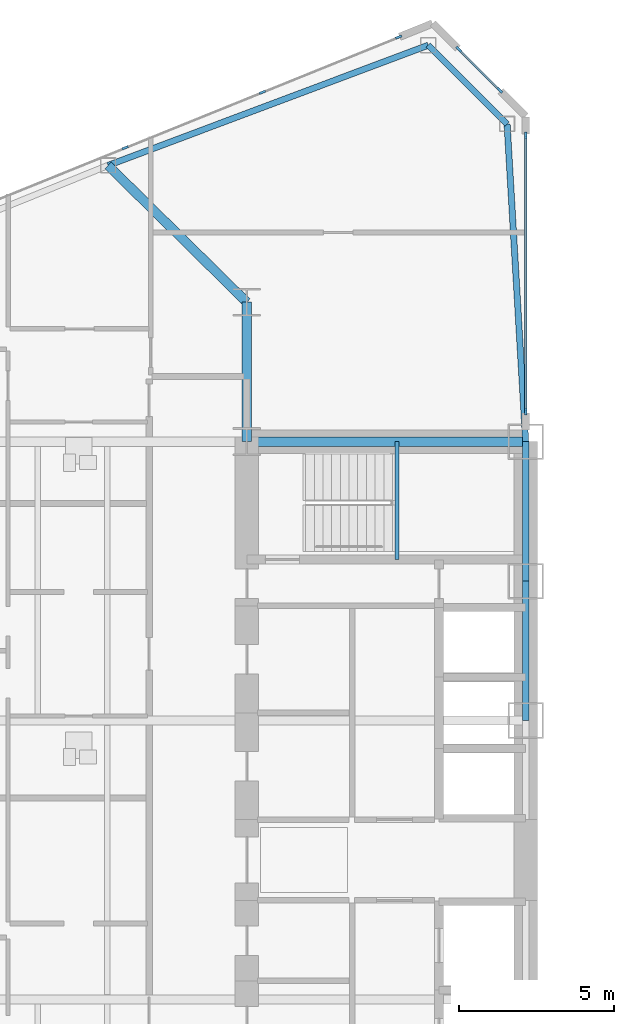
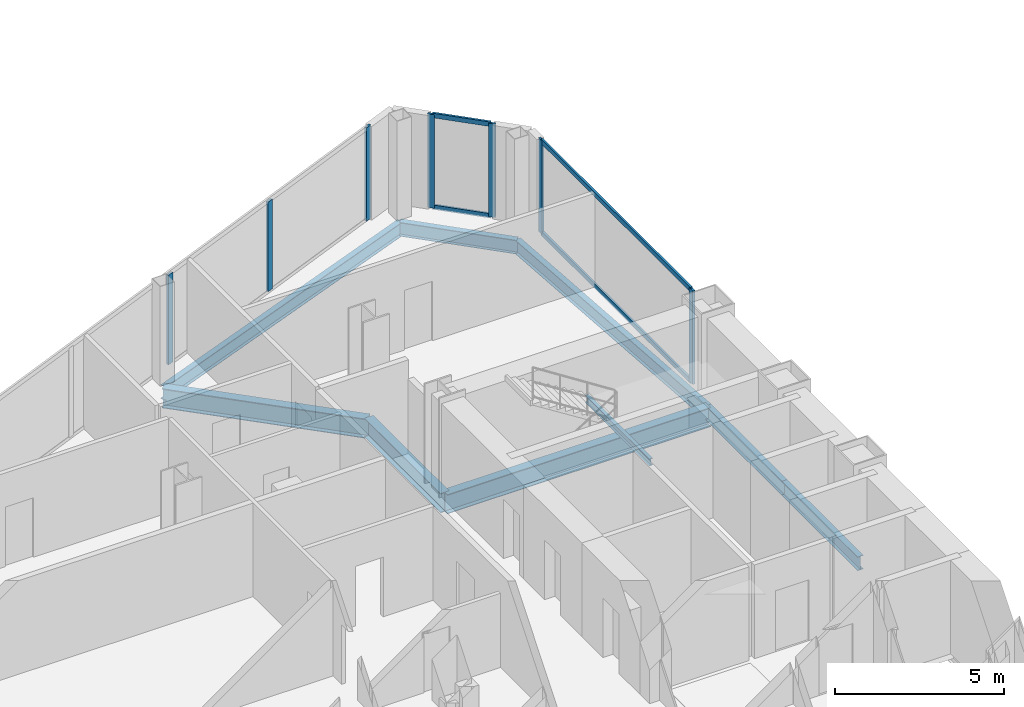
# One storey, part 8 of 25: 11 members, 9 beams, 3 elements without a shape of their own.
"""IFC4 building model written with IfcOpenShell, lengths in metres."""

from ifc_helpers import new_model, si_unit, direction, frame, origin, origin_2d, place, context, subcontext, project, spatial, rectangle, i_section, extrude, source, transform, mapped, material, layer, layer_set, material_profile, profile_set, type_object, type_shapes, element, aggregate, save


model = new_model("IFC4")

# Units and contexts
model_context = context("Model", 3, precision=1e-05, world=origin(), true_north=direction((0.0, 1.0)))
body_context = subcontext(model_context, "Body", "Model", "MODEL_VIEW")
ifc_project = project(units=[si_unit("LENGTHUNIT", "METRE"), si_unit("AREAUNIT", "SQUARE_METRE"), si_unit("VOLUMEUNIT", "CUBIC_METRE"), si_unit("PLANEANGLEUNIT", "RADIAN"), si_unit("MASSUNIT", "GRAM", prefix="KILO")], contexts=[model_context])

# Site, building, storey
site_placement = place(None, origin())
site = spatial("IfcSite", under=ifc_project, at=site_placement, CompositionType="ELEMENT")
building_placement = place(site_placement, origin())
building = spatial("IfcBuilding", under=site, at=building_placement, Name="Seokmaru Belvedere", CompositionType="ELEMENT")
storey_placement = place(building_placement, frame((0.0, 0.0, 26.10009765625)))
storey = spatial("IfcBuildingStorey", under=building, at=storey_placement, Name="L06", CompositionType="ELEMENT", Elevation=26.10009765625)

# Beams
ifc_material_1 = material(Name="Steel SM355 (355 MPa)", Category="steel")
ifc_material_profile_1 = material_profile(ifc_material_1, i_section(OverallWidth=0.199951171875, OverallDepth=0.5, WebThickness=0.010009765625, FlangeThickness=0.01611328125, at=origin_2d()), Name="H-500x200x10x16")
ifc_profile_set_1 = profile_set([ifc_material_profile_1], Name="Steel SM355 (355 MPa)")
beam_type_1 = type_object("IfcBeamType", Name="Perimeter Spandrel Beam H-500", PredefinedType="SPANDREL", material=ifc_profile_set_1)
shared_shape_1 = source(origin(), body_context, "Body", "SweptSolid", [
    extrude(i_section(OverallWidth=0.199951171875, OverallDepth=0.5, WebThickness=0.010009765625, FlangeThickness=0.01611328125, at=origin_2d()), origin(), (0.0, 0.0, 1.0), 4.5),
])
for number, where, z_axis, x_axis, name in (
    (1, (-27.5, 4.5, -0.47021484375), (0.0, 1.0, 0.0), (-1.0, 0.0, 0.0), "L06 W Portal Spine Spandrel 4"),
    (2, (-27.5, 9.0, -0.47021484375), (0.0, 1.0, 0.0), (-1.0, 0.0, 0.0), "L06 W Portal Spine Spandrel 5"),
):
    element("IfcBeam", number, at=place(storey_placement, frame(where, z_axis=z_axis, x_axis=x_axis)), inside=storey, type_object=beam_type_1, Name=name, PredefinedType="SPANDREL", context=body_context, shape_type="MappedRepresentation", body=[
        mapped(shared_shape_1, transform((0.0, 0.0, 0.0), scale=1.0)),
    ])
ifc_material_profile_2 = material_profile(ifc_material_1, i_section(OverallWidth=0.300048828125, OverallDepth=0.699951171875, WebThickness=0.012939453125, FlangeThickness=0.02392578125, at=origin_2d()), Name="H-700x300x13x24")
ifc_profile_set_2 = profile_set([ifc_material_profile_2], Name="Steel SM355 (355 MPa)")
beam_type_2 = type_object("IfcBeamType", Name="Primary Floor Girder H-700", PredefinedType="BEAM", material=ifc_profile_set_2)
shared_shape_2 = source(origin(), body_context, "Body", "SweptSolid", [
    extrude(i_section(OverallWidth=0.300048828125, OverallDepth=0.699951171875, WebThickness=0.012939453125, FlangeThickness=0.02392578125, at=origin_2d()), origin(), (0.0, 0.0, 1.0), 4.5),
])
beam_1_placement = place(storey_placement, frame((-36.5, 13.5, -0.570068359375), z_axis=(0.0, 1.0, 0.0), x_axis=(-1.0, 0.0, 0.0)))
element("IfcBeam", 3, at=beam_1_placement, inside=storey, type_object=beam_type_2, Name="L06 W Core Shoulder Girder N", PredefinedType="BEAM", context=body_context, shape_type="MappedRepresentation", body=[
    mapped(shared_shape_2, transform((0.0, 0.0, 0.0), scale=1.0)),
])
shared_shape_3 = source(origin(), body_context, "Body", "SweptSolid", [
    extrude(i_section(OverallWidth=0.300048828125, OverallDepth=0.699951171875, WebThickness=0.012939453125, FlangeThickness=0.02392578125, at=origin_2d()), origin(), (0.0, 0.0, 1.0), 9.0),
])
beam_2_placement = place(storey_placement, frame((-36.5, 13.5, -0.570068359375), z_axis=(1.0, 0.0, 0.0), x_axis=(0.0, 1.0, 0.0)))
element("IfcBeam", 4, at=beam_2_placement, inside=storey, type_object=beam_type_2, Name="L06 W Core Tie Girder 4", PredefinedType="BEAM", context=body_context, shape_type="MappedRepresentation", body=[
    mapped(shared_shape_3, transform((0.0, 0.0, 0.0), scale=1.0)),
])
shared_shape_4 = source(origin(), body_context, "Body", "SweptSolid", [
    extrude(i_section(OverallWidth=0.199951171875, OverallDepth=0.5, WebThickness=0.010009765625, FlangeThickness=0.01611328125, at=origin_2d()), origin(), (0.0, 0.0, 1.0), 11.03857421875),
])
beam_3_placement = place(storey_placement, frame((-30.643310546875, 26.294677734375, -0.47021484375), z_axis=(-0.936169110734, -0.351549990907, 0.0), x_axis=(0.351549990907, -0.936169110734, 0.0)))
element("IfcBeam", 5, at=beam_3_placement, inside=storey, type_object=beam_type_1, Name="L06 W Faceted Flank Spandrel N-1", PredefinedType="SPANDREL", context=body_context, shape_type="MappedRepresentation", body=[
    mapped(shared_shape_4, transform((0.0, 0.0, 0.0), scale=1.0)),
])
shared_shape_5 = source(origin(), body_context, "Body", "SweptSolid", [
    extrude(i_section(OverallWidth=0.199951171875, OverallDepth=0.5, WebThickness=0.010009765625, FlangeThickness=0.01611328125, at=origin_2d()), origin(), (0.0, 0.0, 1.0), 3.5966796875),
])
beam_4_placement = place(storey_placement, frame((-30.643310546875, 26.294677734375, -0.47021484375), z_axis=(0.707106781187, -0.707106781187, 0.0), x_axis=(0.707106781187, 0.707106781187, 0.0)))
element("IfcBeam", 6, at=beam_4_placement, inside=storey, type_object=beam_type_1, Name="L06 W Shoulder Chamfer Spandrel N", PredefinedType="SPANDREL", context=body_context, shape_type="MappedRepresentation", body=[
    mapped(shared_shape_5, transform((0.0, 0.0, 0.0), scale=1.0)),
])
shared_shape_6 = source(origin(), body_context, "Body", "SweptSolid", [
    extrude(i_section(OverallWidth=0.199951171875, OverallDepth=0.5, WebThickness=0.010009765625, FlangeThickness=0.01611328125, at=origin_2d()), origin(), (0.0, 0.0, 1.0), 10.26904296875),
])
type_shapes(beam_type_1, [shared_shape_1, shared_shape_4, shared_shape_5, shared_shape_6])
beam_5_placement = place(storey_placement, frame((-28.10009765625, 23.75146484375, -0.47021484375), z_axis=(0.058437709399, -0.998291056817, 0.0), x_axis=(0.998291056817, 0.058437709399, 0.0)))
element("IfcBeam", 7, at=beam_5_placement, inside=storey, type_object=beam_type_1, Name="L06 W Shoulder Spine Spandrel N", PredefinedType="SPANDREL", context=body_context, shape_type="MappedRepresentation", body=[
    mapped(shared_shape_6, transform((0.0, 0.0, 0.0), scale=1.0)),
])
shared_shape_7 = source(origin(), body_context, "Body", "SweptSolid", [
    extrude(i_section(OverallWidth=0.300048828125, OverallDepth=0.699951171875, WebThickness=0.012939453125, FlangeThickness=0.02392578125, at=origin_2d()), origin(), (0.0, 0.0, 1.0), 6.287353515625),
])
type_shapes(beam_type_2, [shared_shape_2, shared_shape_3, shared_shape_7])
beam_6_placement = place(storey_placement, frame((-40.977294921875, 22.4140625, -0.570068359375), z_axis=(0.712117485263, -0.702060315915, 0.0), x_axis=(0.702060315915, 0.712117485263, 0.0)))
element("IfcBeam", 8, at=beam_6_placement, inside=storey, type_object=beam_type_2, Name="L06 W Flank Radial Floor Girder N-1", PredefinedType="BEAM", context=body_context, shape_type="MappedRepresentation", body=[
    mapped(shared_shape_7, transform((0.0, 0.0, 0.0), scale=1.0)),
])

# Curtain wall, members
ifc_material_2 = material(Name="Bronze Triple Insulating Glass", Category="glass")
ifc_layer = layer(ifc_material_2, 0.2099609375)
ifc_layer_set = layer_set([ifc_layer], Name="Bronze Triple Insulating Glass")
curtain_wall_type = type_object("IfcCurtainWallType", Name="Low-Rise Faceted Crystal Curtain Wall System CW-2", PredefinedType="NOTDEFINED", material=ifc_layer_set)
curtain_wall_1_placement = place(storey_placement, origin())
curtain_wall_1 = element("IfcCurtainWall", 9, at=curtain_wall_1_placement, inside=storey, type_object=curtain_wall_type, Name="L06 Curtain Wall WSP_2", PredefinedType="NOTDEFINED")
ifc_material_3 = material(Name="Anodised Bronze Aluminium", Category="aluminium")
ifc_material_profile_3 = material_profile(ifc_material_3, rectangle(XDim=0.070068359375, YDim=0.1650390625, at=origin_2d()), Name="CW-T-70x165")
ifc_profile_set_3 = profile_set([ifc_material_profile_3], Name="Anodised Bronze Aluminium")
member_type_1 = type_object("IfcMemberType", Name="Bronze Unitised Transom 70x165", PredefinedType="USERDEFINED", material=ifc_profile_set_3)
shared_shape_8 = source(origin(), body_context, "Body", "SweptSolid", [
    extrude(rectangle(XDim=0.070068359375, YDim=0.1650390625, at=origin_2d()), origin(), (0.0, 0.0, 1.0), 8.85009765625),
])
member_1_placement = place(storey_placement, frame((-27.5, 14.5048828125, 0.034912109375), z_axis=(0.0, 1.0, 0.0), x_axis=(-1.0, 0.0, 0.0)))
member_1 = element("IfcMember", 10, at=member_1_placement, type_object=member_type_1, Name="CW:L06:WSP_2 Continuous Transom 1", ObjectType="TRANSOM", PredefinedType="USERDEFINED", context=body_context, shape_type="MappedRepresentation", body=[
    mapped(shared_shape_8, transform((0.0, 0.0, 0.0), scale=1.0)),
])
member_2_placement = place(storey_placement, frame((-27.5, 14.5048828125, 3.344970703125), z_axis=(0.0, 1.0, 0.0), x_axis=(-1.0, 0.0, 0.0)))
member_2 = element("IfcMember", 11, at=member_2_placement, type_object=member_type_1, Name="CW:L06:WSP_2 Continuous Transom 2", ObjectType="TRANSOM", PredefinedType="USERDEFINED", context=body_context, shape_type="MappedRepresentation", body=[
    mapped(shared_shape_8, transform((0.0, 0.0, 0.0), scale=1.0)),
])

curtain_wall_2_placement = place(storey_placement, origin())
curtain_wall_2 = element("IfcCurtainWall", 12, at=curtain_wall_2_placement, inside=storey, type_object=curtain_wall_type, Name="L06 Curtain Wall WF2", PredefinedType="NOTDEFINED")
shared_shape_9 = source(origin(), body_context, "Body", "SweptSolid", [
    extrude(rectangle(XDim=0.070068359375, YDim=0.1650390625, at=origin_2d()), origin(), (0.0, 0.0, 1.0), 1.792724609375),
])
type_shapes(member_type_1, [shared_shape_8, shared_shape_9])
member_3_placement = place(storey_placement, frame((-28.3662109375, 24.8662109375, 0.034912109375), z_axis=(-0.707106781187, 0.707106781187, 0.0), x_axis=(-0.707106781187, -0.707106781187, 0.0)))
member_3 = element("IfcMember", 13, at=member_3_placement, type_object=member_type_1, Name="CW:L06:WF2 Continuous Transom 1", ObjectType="TRANSOM", PredefinedType="USERDEFINED", context=body_context, shape_type="MappedRepresentation", body=[
    mapped(shared_shape_9, transform((0.0, 0.0, 0.0), scale=1.0)),
])
member_4_placement = place(storey_placement, frame((-28.3662109375, 24.8662109375, 3.344970703125), z_axis=(-0.707106781187, 0.707106781187, 0.0), x_axis=(-0.707106781187, -0.707106781187, 0.0)))
member_4 = element("IfcMember", 14, at=member_4_placement, type_object=member_type_1, Name="CW:L06:WF2 Continuous Transom 2", ObjectType="TRANSOM", PredefinedType="USERDEFINED", context=body_context, shape_type="MappedRepresentation", body=[
    mapped(shared_shape_9, transform((0.0, 0.0, 0.0), scale=1.0)),
])

curtain_wall_3_placement = place(storey_placement, origin())
curtain_wall_3 = element("IfcCurtainWall", 15, at=curtain_wall_3_placement, inside=storey, type_object=curtain_wall_type, Name="L06 Curtain Wall WF3", PredefinedType="NOTDEFINED")
ifc_material_profile_4 = material_profile(ifc_material_3, rectangle(XDim=0.074951171875, YDim=0.2099609375, at=origin_2d()), Name="CW-M-75x210")
ifc_profile_set_4 = profile_set([ifc_material_profile_4], Name="Anodised Bronze Aluminium")
member_type_2 = type_object("IfcMemberType", Name="Bronze Unitised Mullion 75x210", PredefinedType="MULLION", material=ifc_profile_set_4)
shared_shape_10 = source(origin(), body_context, "Body", "SweptSolid", [
    extrude(rectangle(XDim=0.074951171875, YDim=0.2099609375, at=origin_2d()), origin(), (0.0, 0.0, 1.0), 3.239990234375),
])
member_5_placement = place(storey_placement, frame((-35.995849609375, 24.775390625, 0.06982421875), z_axis=(0.0, 0.0, 1.0), x_axis=(0.375192321888, -0.926946989637, 0.0)))
member_5 = element("IfcMember", 16, at=member_5_placement, type_object=member_type_2, Name="CW:L06:WF3 Mullion 2", PredefinedType="MULLION", context=body_context, shape_type="MappedRepresentation", body=[
    mapped(shared_shape_10, transform((0.0, 0.0, 0.0), scale=1.0)),
])
member_6_placement = place(storey_placement, frame((-40.425537109375, 22.982421875, 0.06982421875), z_axis=(0.0, 0.0, 1.0), x_axis=(0.375192321888, -0.926946989637, 0.0)))
member_6 = element("IfcMember", 17, at=member_6_placement, type_object=member_type_2, Name="CW:L06:WF3 Mullion 3", PredefinedType="MULLION", context=body_context, shape_type="MappedRepresentation", body=[
    mapped(shared_shape_10, transform((0.0, 0.0, 0.0), scale=1.0)),
])

# Member
shared_shape_11 = source(origin(), body_context, "Body", "SweptSolid", [
    extrude(rectangle(XDim=0.074951171875, YDim=0.2099609375, at=origin_2d()), origin(), (0.0, 0.0, 1.0), 3.3798828125),
])
type_shapes(member_type_2, [shared_shape_10, shared_shape_11])
member_7_placement = place(storey_placement, frame((-27.5, 14.467529296875, 0.0), z_axis=(0.0, 0.0, 1.0), x_axis=(-1.0, 0.0, 0.0)))
member_7 = element("IfcMember", 18, at=member_7_placement, type_object=member_type_2, Name="CW:L06:WSP_2 Mullion 1", PredefinedType="MULLION", context=body_context, shape_type="MappedRepresentation", body=[
    mapped(shared_shape_11, transform((0.0, 0.0, 0.0), scale=1.0)),
])

member_8_placement = place(storey_placement, frame((-27.5, 23.392578125, 0.0), z_axis=(0.0, 0.0, 1.0), x_axis=(-1.0, 0.0, 0.0)))
member_8 = element("IfcMember", 19, at=member_8_placement, type_object=member_type_2, Name="CW:L06:WSP_2 Mullion 2", PredefinedType="MULLION", context=body_context, shape_type="MappedRepresentation", body=[
    mapped(shared_shape_11, transform((0.0, 0.0, 0.0), scale=1.0)),
])

aggregate(curtain_wall_1, [member_7, member_8, member_1, member_2])

member_9_placement = place(storey_placement, frame((-28.339599609375, 24.839599609375, 0.0), z_axis=(0.0, 0.0, 1.0), x_axis=(-0.707106781187, -0.707106781187, 0.0)))
member_9 = element("IfcMember", 20, at=member_9_placement, type_object=member_type_2, Name="CW:L06:WF2 Mullion 1", PredefinedType="MULLION", context=body_context, shape_type="MappedRepresentation", body=[
    mapped(shared_shape_11, transform((0.0, 0.0, 0.0), scale=1.0)),
])

member_10_placement = place(storey_placement, frame((-29.660400390625, 26.160400390625, 0.0), z_axis=(0.0, 0.0, 1.0), x_axis=(-0.707106781187, -0.707106781187, 0.0)))
member_10 = element("IfcMember", 21, at=member_10_placement, type_object=member_type_2, Name="CW:L06:WF2 Mullion 2", PredefinedType="MULLION", context=body_context, shape_type="MappedRepresentation", body=[
    mapped(shared_shape_11, transform((0.0, 0.0, 0.0), scale=1.0)),
])

aggregate(curtain_wall_2, [member_9, member_10, member_3, member_4])

member_11_placement = place(storey_placement, frame((-31.600830078125, 26.554443359375, 0.0), z_axis=(0.0, 0.0, 1.0), x_axis=(0.375192321888, -0.926946989637, 0.0)))
member_11 = element("IfcMember", 22, at=member_11_placement, type_object=member_type_2, Name="CW:L06:WF3 Mullion 1", PredefinedType="MULLION", context=body_context, shape_type="MappedRepresentation", body=[
    mapped(shared_shape_11, transform((0.0, 0.0, 0.0), scale=1.0)),
])

aggregate(curtain_wall_3, [member_11, member_5, member_6])

# Beam
ifc_material_profile_5 = material_profile(ifc_material_1, i_section(OverallWidth=0.125, OverallDepth=0.25, WebThickness=0.006103515625, FlangeThickness=0.009033203125, at=origin_2d()), Name="H-250x125x6x9")
ifc_profile_set_5 = profile_set([ifc_material_profile_5], Name="Steel SM355 (355 MPa)")
beam_type_3 = type_object("IfcBeamType", Name="Stair Mid-Landing Support Beam H-250", PredefinedType="JOIST", material=ifc_profile_set_5)
shared_shape_12 = source(origin(), body_context, "Body", "SweptSolid", [
    extrude(i_section(OverallWidth=0.125, OverallDepth=0.25, WebThickness=0.006103515625, FlangeThickness=0.009033203125, at=origin_2d()), origin(), (0.0, 0.0, 1.0), 3.800048828125),
])
type_shapes(beam_type_3, [shared_shape_12])
beam_7_placement = place(storey_placement, frame((-31.64990234375, 9.699951171875, 1.474853515625), z_axis=(0.0, 1.0, 0.0), x_axis=(-1.0, 0.0, 0.0)))
element("IfcBeam", 23, at=beam_7_placement, inside=storey, type_object=beam_type_3, Name="L06 Stair ST-W2 Mid-Landing Support Beam 1", PredefinedType="JOIST", context=body_context, shape_type="MappedRepresentation", body=[
    mapped(shared_shape_12, transform((0.0, 0.0, 0.0), scale=1.0)),
])

save(model, "model.ifc")
